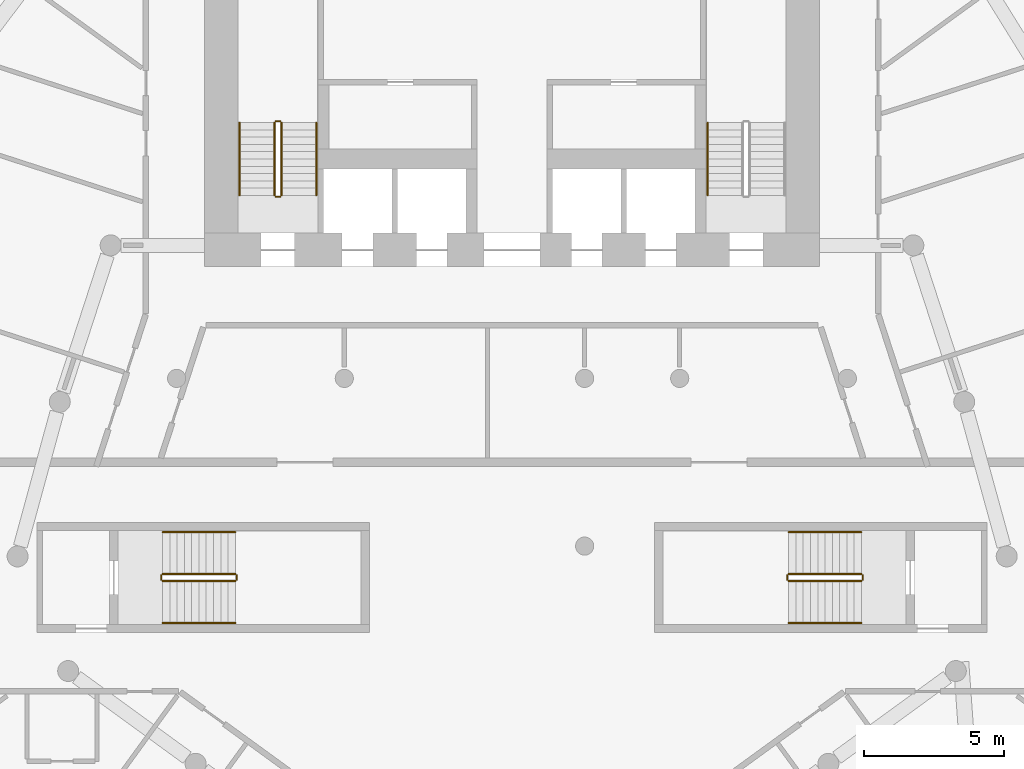
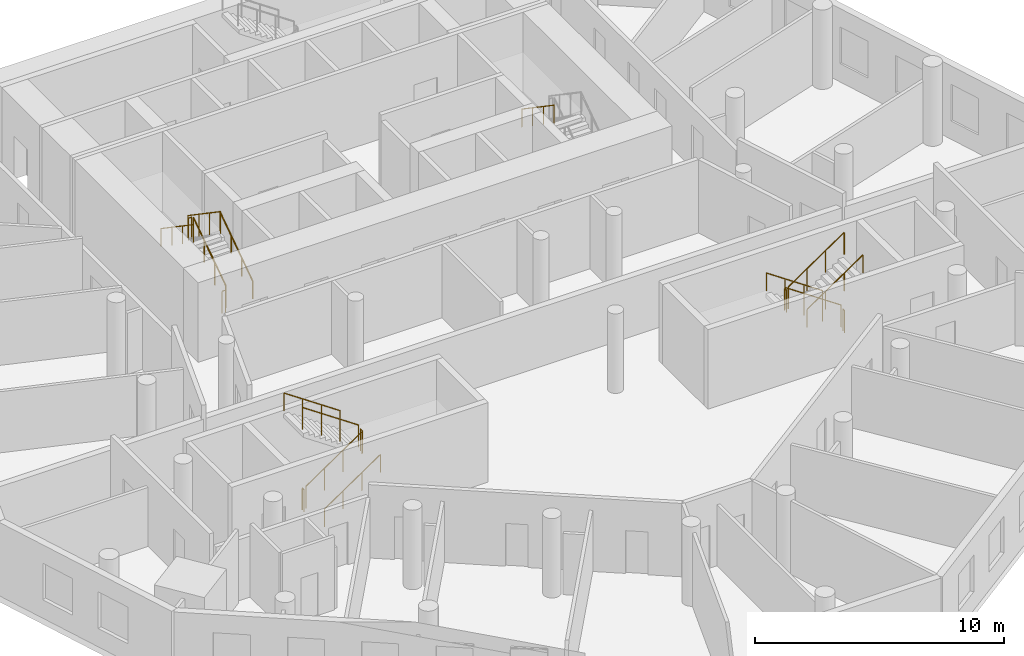
# One storey, part 8 of 9: 19 railings.
"""IFC4 building model written with IfcOpenShell, lengths in metres."""

from ifc_helpers import new_model, si_unit, direction, frame, origin, origin_2d, place, context, subcontext, project, spatial, circle, extrude, material, type_object, element, save


model = new_model("IFC4")

# Units and contexts
model_context = context("Model", 3, precision=1e-05, world=origin(), true_north=direction((0.0, 1.0)))
body_context = subcontext(model_context, "Body", "Model", "MODEL_VIEW")
ifc_project = project(units=[si_unit("LENGTHUNIT", "METRE"), si_unit("AREAUNIT", "SQUARE_METRE"), si_unit("VOLUMEUNIT", "CUBIC_METRE"), si_unit("PLANEANGLEUNIT", "RADIAN"), si_unit("MASSUNIT", "GRAM", prefix="KILO")], contexts=[model_context])

# Site, building, storey
site_placement = place(None, origin())
site = spatial("IfcSite", under=ifc_project, at=site_placement, CompositionType="ELEMENT")
building_placement = place(site_placement, origin())
building = spatial("IfcBuilding", under=site, at=building_placement, Name="White Candle Pilgrim Tower", CompositionType="ELEMENT")
storey_placement = place(building_placement, frame((0.0, 0.0, 74.10009765625)))
storey = spatial("IfcBuildingStorey", under=building, at=storey_placement, Name="L15", CompositionType="ELEMENT", Elevation=74.10009765625)

# Railings
ifc_material = material(Name="Stainless steel", Category="steel")
railing_type_1 = type_object("IfcRailingType", Name="Stair guard stainless steel 1100 mm", PredefinedType="GUARDRAIL", material=ifc_material)
railing_1_placement = place(storey_placement, frame((61.75, 73.550048828125, 0.17724609375)))
element("IfcRailing", 1, at=railing_1_placement, inside=storey, type_object=railing_type_1, Name="L15 ST1 stair guard 1", PredefinedType="GUARDRAIL", context=body_context, shape_type="SweptSolid", body=[
    extrude(circle(Radius=0.02392578125, at=origin_2d()), frame((0.0, 0.0, 1.076171875), z_axis=(0.0, 0.826215852431, 0.563353676824), x_axis=(-1.0, 0.0, 0.0)), (0.0, 0.0, 1.0), 3.146728515625),
    extrude(circle(Radius=0.02099609375, at=origin_2d()), origin(), (0.0, 0.0, 1.0), 1.052001953125),
    extrude(circle(Radius=0.02099609375, at=origin_2d()), frame((0.0, 0.86669921875, 0.5908203125)), (0.0, 0.0, 1.0), 1.052001953125),
    extrude(circle(Radius=0.02099609375, at=origin_2d()), frame((0.0, 1.733154296875, 1.181884765625)), (0.0, 0.0, 1.0), 1.052001953125),
    extrude(circle(Radius=0.02099609375, at=origin_2d()), frame((0.0, 2.599853515625, 1.772705078125)), (0.0, 0.0, 1.0), 1.052001953125),
])
railing_2_placement = place(storey_placement, frame((61.699951171875, 76.199951171875, 1.949951171875)))
element("IfcRailing", 2, at=railing_2_placement, inside=storey, type_object=railing_type_1, Name="L15 ST1 stair guard 2", PredefinedType="GUARDRAIL", context=body_context, shape_type="SweptSolid", body=[
    extrude(circle(Radius=0.02392578125, at=origin_2d()), frame((0.0, 0.0, 1.076171875), z_axis=(-1.0, 0.0, 0.0), x_axis=(0.0, -1.0, 0.0)), (0.0, 0.0, 1.0), 0.14990234375),
    extrude(circle(Radius=0.02099609375, at=origin_2d()), origin(), (0.0, 0.0, 1.0), 1.052001953125),
    extrude(circle(Radius=0.02099609375, at=origin_2d()), frame((-0.14990234375, 0.0, 0.0)), (0.0, 0.0, 1.0), 1.052001953125),
])
railing_3_placement = place(storey_placement, frame((61.5, 76.14990234375, 2.127197265625)))
element("IfcRailing", 3, at=railing_3_placement, inside=storey, type_object=railing_type_1, Name="L15 ST1 stair guard 3", PredefinedType="GUARDRAIL", context=body_context, shape_type="SweptSolid", body=[
    extrude(circle(Radius=0.02392578125, at=origin_2d()), frame((0.0, 0.0, 1.076171875), z_axis=(0.0, -0.826215852431, 0.563353676824), x_axis=(1.0, 0.0, 0.0)), (0.0, 0.0, 1.0), 3.146728515625),
    extrude(circle(Radius=0.02099609375, at=origin_2d()), origin(), (0.0, 0.0, 1.0), 1.052001953125),
    extrude(circle(Radius=0.02099609375, at=origin_2d()), frame((0.0, -0.86669921875, 0.5908203125)), (0.0, 0.0, 1.0), 1.052001953125),
    extrude(circle(Radius=0.02099609375, at=origin_2d()), frame((0.0, -1.733154296875, 1.181884765625)), (0.0, 0.0, 1.0), 1.052001953125),
    extrude(circle(Radius=0.02099609375, at=origin_2d()), frame((0.0, -2.599853515625, 1.772705078125)), (0.0, 0.0, 1.0), 1.052001953125),
])
railing_4_placement = place(storey_placement, frame((61.699951171875, 73.5, 0.0)))
element("IfcRailing", 4, at=railing_4_placement, inside=storey, type_object=railing_type_1, Name="L15 ST1 stair guard 4", PredefinedType="GUARDRAIL", context=body_context, shape_type="SweptSolid", body=[
    extrude(circle(Radius=0.02392578125, at=origin_2d()), frame((0.0, 0.0, 1.076171875), z_axis=(-1.0, 0.0, 0.0), x_axis=(0.0, -1.0, 0.0)), (0.0, 0.0, 1.0), 0.14990234375),
    extrude(circle(Radius=0.02099609375, at=origin_2d()), origin(), (0.0, 0.0, 1.0), 1.052001953125),
    extrude(circle(Radius=0.02099609375, at=origin_2d()), frame((-0.14990234375, 0.0, 0.0)), (0.0, 0.0, 1.0), 1.052001953125),
])
railing_5_placement = place(storey_placement, frame((82.5, 60.0, 0.17724609375)))
element("IfcRailing", 5, at=railing_5_placement, inside=storey, type_object=railing_type_1, Name="L15 ST4 stair guard 1", PredefinedType="GUARDRAIL", context=body_context, shape_type="SweptSolid", body=[
    extrude(circle(Radius=0.02392578125, at=origin_2d()), frame((0.0, 0.0, 1.076171875), z_axis=(-0.826240473404, 0.0, 0.563317565952), x_axis=(0.0, -1.0, 0.0)), (0.0, 0.0, 1.0), 3.14697265625),
    extrude(circle(Radius=0.02099609375, at=origin_2d()), origin(), (0.0, 0.0, 1.0), 1.052001953125),
    extrude(circle(Radius=0.02099609375, at=origin_2d()), frame((-0.86669921875, 0.0, 0.5908203125)), (0.0, 0.0, 1.0), 1.052001953125),
    extrude(circle(Radius=0.02099609375, at=origin_2d()), frame((-1.7333984375, 0.0, 1.181884765625)), (0.0, 0.0, 1.0), 1.052001953125),
    extrude(circle(Radius=0.02099609375, at=origin_2d()), frame((-2.60009765625, 0.0, 1.772705078125)), (0.0, 0.0, 1.0), 1.052001953125),
])
railing_6_placement = place(storey_placement, frame((79.85009765625, 59.949951171875, 1.949951171875)))
element("IfcRailing", 6, at=railing_6_placement, inside=storey, type_object=railing_type_1, Name="L15 ST4 stair guard 2", PredefinedType="GUARDRAIL", context=body_context, shape_type="SweptSolid", body=[
    extrude(circle(Radius=0.02392578125, at=origin_2d()), frame((0.0, 0.0, 1.076171875), z_axis=(0.0, -1.0, 0.0), x_axis=(1.0, 0.0, 0.0)), (0.0, 0.0, 1.0), 0.14990234375),
    extrude(circle(Radius=0.02099609375, at=origin_2d()), origin(), (0.0, 0.0, 1.0), 1.052001953125),
    extrude(circle(Radius=0.02099609375, at=origin_2d()), frame((0.0, -0.14990234375, 0.0)), (0.0, 0.0, 1.0), 1.052001953125),
])
railing_7_placement = place(storey_placement, frame((79.89990234375, 59.75, 2.127197265625)))
element("IfcRailing", 7, at=railing_7_placement, inside=storey, type_object=railing_type_1, Name="L15 ST4 stair guard 3", PredefinedType="GUARDRAIL", context=body_context, shape_type="SweptSolid", body=[
    extrude(circle(Radius=0.02392578125, at=origin_2d()), frame((0.0, 0.0, 1.076171875), z_axis=(0.826240473404, 0.0, 0.563317565952), x_axis=(0.0, 1.0, 0.0)), (0.0, 0.0, 1.0), 3.14697265625),
    extrude(circle(Radius=0.02099609375, at=origin_2d()), origin(), (0.0, 0.0, 1.0), 1.052001953125),
    extrude(circle(Radius=0.02099609375, at=origin_2d()), frame((0.86669921875, 0.0, 0.5908203125)), (0.0, 0.0, 1.0), 1.052001953125),
    extrude(circle(Radius=0.02099609375, at=origin_2d()), frame((1.7333984375, 0.0, 1.181884765625)), (0.0, 0.0, 1.0), 1.052001953125),
    extrude(circle(Radius=0.02099609375, at=origin_2d()), frame((2.60009765625, 0.0, 1.772705078125)), (0.0, 0.0, 1.0), 1.052001953125),
])
railing_8_placement = place(storey_placement, frame((82.550048828125, 59.949951171875, 0.0)))
element("IfcRailing", 8, at=railing_8_placement, inside=storey, type_object=railing_type_1, Name="L15 ST4 stair guard 4", PredefinedType="GUARDRAIL", context=body_context, shape_type="SweptSolid", body=[
    extrude(circle(Radius=0.02392578125, at=origin_2d()), frame((0.0, 0.0, 1.076171875), z_axis=(0.0, -1.0, 0.0), x_axis=(1.0, 0.0, 0.0)), (0.0, 0.0, 1.0), 0.14990234375),
    extrude(circle(Radius=0.02099609375, at=origin_2d()), origin(), (0.0, 0.0, 1.0), 1.052001953125),
    extrude(circle(Radius=0.02099609375, at=origin_2d()), frame((0.0, -0.14990234375, 0.0)), (0.0, 0.0, 1.0), 1.052001953125),
])
railing_9_placement = place(storey_placement, frame((57.5, 59.75, 0.17724609375)))
element("IfcRailing", 9, at=railing_9_placement, inside=storey, type_object=railing_type_1, Name="L15 ST5 stair guard 1", PredefinedType="GUARDRAIL", context=body_context, shape_type="SweptSolid", body=[
    extrude(circle(Radius=0.02392578125, at=origin_2d()), frame((0.0, 0.0, 1.076171875), z_axis=(0.826240473404, 0.0, 0.563317565952), x_axis=(0.0, 1.0, 0.0)), (0.0, 0.0, 1.0), 3.14697265625),
    extrude(circle(Radius=0.02099609375, at=origin_2d()), origin(), (0.0, 0.0, 1.0), 1.052001953125),
    extrude(circle(Radius=0.02099609375, at=origin_2d()), frame((0.86669921875, 0.0, 0.5908203125)), (0.0, 0.0, 1.0), 1.052001953125),
    extrude(circle(Radius=0.02099609375, at=origin_2d()), frame((1.7333984375, 0.0, 1.181884765625)), (0.0, 0.0, 1.0), 1.052001953125),
    extrude(circle(Radius=0.02099609375, at=origin_2d()), frame((2.60009765625, 0.0, 1.772705078125)), (0.0, 0.0, 1.0), 1.052001953125),
])
railing_10_placement = place(storey_placement, frame((60.14990234375, 59.800048828125, 1.949951171875)))
element("IfcRailing", 10, at=railing_10_placement, inside=storey, type_object=railing_type_1, Name="L15 ST5 stair guard 2", PredefinedType="GUARDRAIL", context=body_context, shape_type="SweptSolid", body=[
    extrude(circle(Radius=0.02392578125, at=origin_2d()), frame((0.0, 0.0, 1.076171875), z_axis=(0.0, 1.0, 0.0), x_axis=(-1.0, 0.0, 0.0)), (0.0, 0.0, 1.0), 0.14990234375),
    extrude(circle(Radius=0.02099609375, at=origin_2d()), origin(), (0.0, 0.0, 1.0), 1.052001953125),
    extrude(circle(Radius=0.02099609375, at=origin_2d()), frame((0.0, 0.14990234375, 0.0)), (0.0, 0.0, 1.0), 1.052001953125),
])
railing_11_placement = place(storey_placement, frame((60.10009765625, 60.0, 2.127197265625)))
element("IfcRailing", 11, at=railing_11_placement, inside=storey, type_object=railing_type_1, Name="L15 ST5 stair guard 3", PredefinedType="GUARDRAIL", context=body_context, shape_type="SweptSolid", body=[
    extrude(circle(Radius=0.02392578125, at=origin_2d()), frame((0.0, 0.0, 1.076171875), z_axis=(-0.826240473404, 0.0, 0.563317565952), x_axis=(0.0, -1.0, 0.0)), (0.0, 0.0, 1.0), 3.14697265625),
    extrude(circle(Radius=0.02099609375, at=origin_2d()), origin(), (0.0, 0.0, 1.0), 1.052001953125),
    extrude(circle(Radius=0.02099609375, at=origin_2d()), frame((-0.86669921875, 0.0, 0.5908203125)), (0.0, 0.0, 1.0), 1.052001953125),
    extrude(circle(Radius=0.02099609375, at=origin_2d()), frame((-1.7333984375, 0.0, 1.181884765625)), (0.0, 0.0, 1.0), 1.052001953125),
    extrude(circle(Radius=0.02099609375, at=origin_2d()), frame((-2.60009765625, 0.0, 1.772705078125)), (0.0, 0.0, 1.0), 1.052001953125),
])
railing_12_placement = place(storey_placement, frame((57.449951171875, 59.800048828125, 0.0)))
element("IfcRailing", 12, at=railing_12_placement, inside=storey, type_object=railing_type_1, Name="L15 ST5 stair guard 4", PredefinedType="GUARDRAIL", context=body_context, shape_type="SweptSolid", body=[
    extrude(circle(Radius=0.02392578125, at=origin_2d()), frame((0.0, 0.0, 1.076171875), z_axis=(0.0, 1.0, 0.0), x_axis=(-1.0, 0.0, 0.0)), (0.0, 0.0, 1.0), 0.14990234375),
    extrude(circle(Radius=0.02099609375, at=origin_2d()), origin(), (0.0, 0.0, 1.0), 1.052001953125),
    extrude(circle(Radius=0.02099609375, at=origin_2d()), frame((0.0, 0.14990234375, 0.0)), (0.0, 0.0, 1.0), 1.052001953125),
])
railing_type_2 = type_object("IfcRailingType", Name="Stair handrail stainless steel", PredefinedType="HANDRAIL", material=ifc_material)
railing_13_placement = place(storey_placement, frame((63.0, 73.550048828125, 0.17724609375)))
element("IfcRailing", 13, at=railing_13_placement, inside=storey, type_object=railing_type_2, Name="L15 ST1 stair handrail 1", PredefinedType="HANDRAIL", context=body_context, shape_type="SweptSolid", body=[
    extrude(circle(Radius=0.02392578125, at=origin_2d()), frame((0.0, 0.0, 0.8759765625), z_axis=(0.0, 0.826215852431, 0.563353676824), x_axis=(-1.0, 0.0, 0.0)), (0.0, 0.0, 1.0), 3.146728515625),
    extrude(circle(Radius=0.02099609375, at=origin_2d()), origin(), (0.0, 0.0, 1.0), 0.851806640625),
    extrude(circle(Radius=0.02099609375, at=origin_2d()), frame((0.0, 0.86669921875, 0.5908203125)), (0.0, 0.0, 1.0), 0.851806640625),
    extrude(circle(Radius=0.02099609375, at=origin_2d()), frame((0.0, 1.733154296875, 1.181884765625)), (0.0, 0.0, 1.0), 0.851806640625),
    extrude(circle(Radius=0.02099609375, at=origin_2d()), frame((0.0, 2.599853515625, 1.772705078125)), (0.0, 0.0, 1.0), 0.851806640625),
])
for number, where, name in (
    (14, (60.25, 76.14990234375, 2.127197265625), "L15 ST1 stair handrail 2"),
    (15, (77.0, 76.14990234375, 2.127197265625), "L15 ST2 stair handrail 2"),
):
    element("IfcRailing", number, at=place(storey_placement, frame(where)), inside=storey, type_object=railing_type_2, Name=name, PredefinedType="HANDRAIL", context=body_context, shape_type="SweptSolid", body=[
        extrude(circle(Radius=0.02392578125, at=origin_2d()), frame((0.0, 0.0, 0.8759765625), z_axis=(0.0, -0.826215852431, 0.563353676824), x_axis=(1.0, 0.0, 0.0)), (0.0, 0.0, 1.0), 3.146728515625),
        extrude(circle(Radius=0.02099609375, at=origin_2d()), origin(), (0.0, 0.0, 1.0), 0.851806640625),
        extrude(circle(Radius=0.02099609375, at=origin_2d()), frame((0.0, -0.86669921875, 0.5908203125)), (0.0, 0.0, 1.0), 0.851806640625),
        extrude(circle(Radius=0.02099609375, at=origin_2d()), frame((0.0, -1.733154296875, 1.181884765625)), (0.0, 0.0, 1.0), 0.851806640625),
        extrude(circle(Radius=0.02099609375, at=origin_2d()), frame((0.0, -2.599853515625, 1.772705078125)), (0.0, 0.0, 1.0), 0.851806640625),
    ])
railing_14_placement = place(storey_placement, frame((82.5, 61.5, 0.17724609375)))
element("IfcRailing", 16, at=railing_14_placement, inside=storey, type_object=railing_type_2, Name="L15 ST4 stair handrail 1", PredefinedType="HANDRAIL", context=body_context, shape_type="SweptSolid", body=[
    extrude(circle(Radius=0.02392578125, at=origin_2d()), frame((0.0, 0.0, 0.8759765625), z_axis=(-0.826240473404, 0.0, 0.563317565952), x_axis=(0.0, -1.0, 0.0)), (0.0, 0.0, 1.0), 3.14697265625),
    extrude(circle(Radius=0.02099609375, at=origin_2d()), origin(), (0.0, 0.0, 1.0), 0.851806640625),
    extrude(circle(Radius=0.02099609375, at=origin_2d()), frame((-0.86669921875, 0.0, 0.5908203125)), (0.0, 0.0, 1.0), 0.851806640625),
    extrude(circle(Radius=0.02099609375, at=origin_2d()), frame((-1.7333984375, 0.0, 1.181884765625)), (0.0, 0.0, 1.0), 0.851806640625),
    extrude(circle(Radius=0.02099609375, at=origin_2d()), frame((-2.60009765625, 0.0, 1.772705078125)), (0.0, 0.0, 1.0), 0.851806640625),
])
for number, where, name in (
    (17, (79.89990234375, 58.25, 2.127197265625), "L15 ST4 stair handrail 2"),
    (18, (57.5, 58.25, 0.17724609375), "L15 ST5 stair handrail 1"),
):
    element("IfcRailing", number, at=place(storey_placement, frame(where)), inside=storey, type_object=railing_type_2, Name=name, PredefinedType="HANDRAIL", context=body_context, shape_type="SweptSolid", body=[
        extrude(circle(Radius=0.02392578125, at=origin_2d()), frame((0.0, 0.0, 0.8759765625), z_axis=(0.826240473404, 0.0, 0.563317565952), x_axis=(0.0, 1.0, 0.0)), (0.0, 0.0, 1.0), 3.14697265625),
        extrude(circle(Radius=0.02099609375, at=origin_2d()), origin(), (0.0, 0.0, 1.0), 0.851806640625),
        extrude(circle(Radius=0.02099609375, at=origin_2d()), frame((0.86669921875, 0.0, 0.5908203125)), (0.0, 0.0, 1.0), 0.851806640625),
        extrude(circle(Radius=0.02099609375, at=origin_2d()), frame((1.7333984375, 0.0, 1.181884765625)), (0.0, 0.0, 1.0), 0.851806640625),
        extrude(circle(Radius=0.02099609375, at=origin_2d()), frame((2.60009765625, 0.0, 1.772705078125)), (0.0, 0.0, 1.0), 0.851806640625),
    ])
railing_15_placement = place(storey_placement, frame((60.10009765625, 61.5, 2.127197265625)))
element("IfcRailing", 19, at=railing_15_placement, inside=storey, type_object=railing_type_2, Name="L15 ST5 stair handrail 2", PredefinedType="HANDRAIL", context=body_context, shape_type="SweptSolid", body=[
    extrude(circle(Radius=0.02392578125, at=origin_2d()), frame((0.0, 0.0, 0.8759765625), z_axis=(-0.826240473404, 0.0, 0.563317565952), x_axis=(0.0, -1.0, 0.0)), (0.0, 0.0, 1.0), 3.14697265625),
    extrude(circle(Radius=0.02099609375, at=origin_2d()), origin(), (0.0, 0.0, 1.0), 0.851806640625),
    extrude(circle(Radius=0.02099609375, at=origin_2d()), frame((-0.86669921875, 0.0, 0.5908203125)), (0.0, 0.0, 1.0), 0.851806640625),
    extrude(circle(Radius=0.02099609375, at=origin_2d()), frame((-1.7333984375, 0.0, 1.181884765625)), (0.0, 0.0, 1.0), 0.851806640625),
    extrude(circle(Radius=0.02099609375, at=origin_2d()), frame((-2.60009765625, 0.0, 1.772705078125)), (0.0, 0.0, 1.0), 0.851806640625),
])

save(model, "model.ifc")
